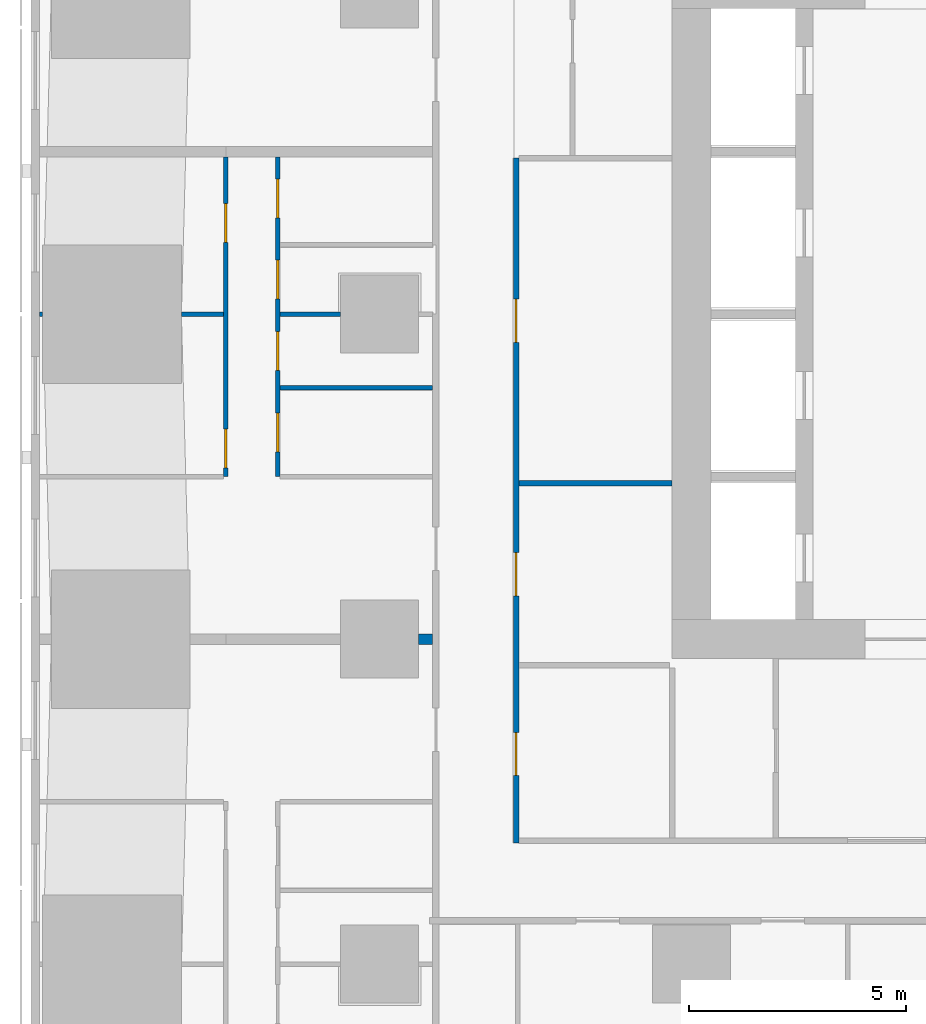
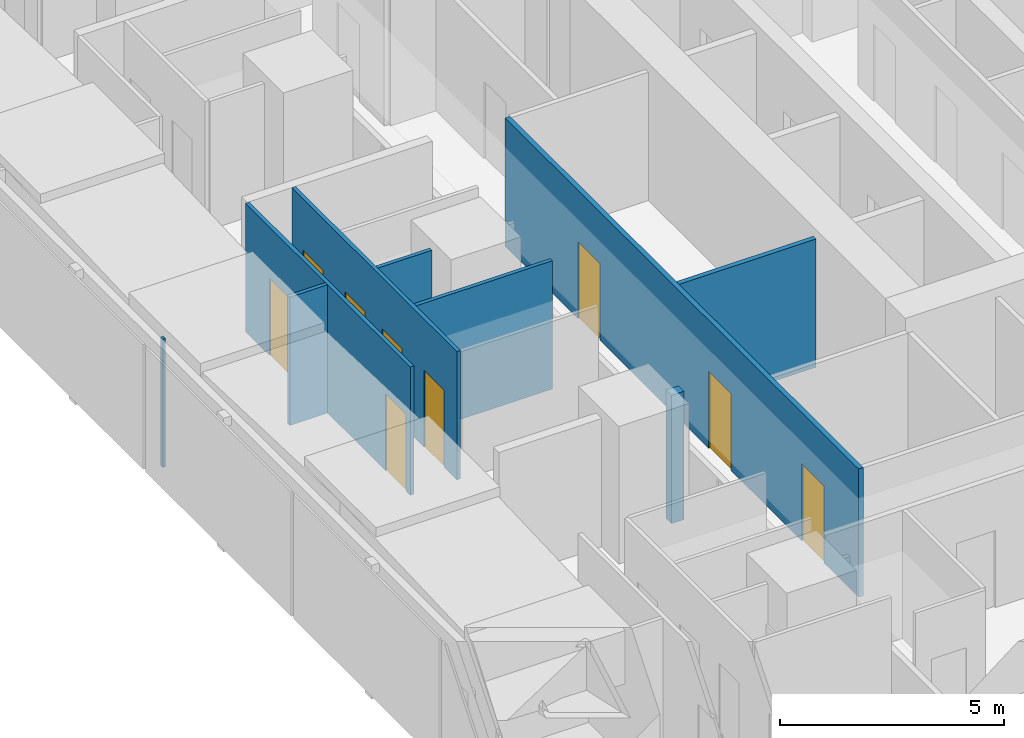
# One storey, part 5 of 17: 9 doors, 9 walls, 9 openings.
"""IFC4 building model written with IfcOpenShell, lengths in metres."""

from ifc_helpers import new_model, si_unit, direction, frame, frame_2d, origin, place, context, subcontext, project, spatial, rectangle, extrude, material, layer, layer_set, type_object, element, fill, save


model = new_model("IFC4")

# Units and contexts
model_context = context("Model", 3, precision=1e-05, world=origin(), true_north=direction((0.0, 1.0)))
body_context = subcontext(model_context, "Body", "Model", "MODEL_VIEW")
ifc_project = project(units=[si_unit("LENGTHUNIT", "METRE"), si_unit("AREAUNIT", "SQUARE_METRE"), si_unit("VOLUMEUNIT", "CUBIC_METRE"), si_unit("PLANEANGLEUNIT", "RADIAN"), si_unit("MASSUNIT", "GRAM", prefix="KILO")], contexts=[model_context])

# Site, building, storey
site_placement = place(None, origin())
site = spatial("IfcSite", under=ifc_project, at=site_placement, CompositionType="ELEMENT")
building_placement = place(site_placement, origin())
building = spatial("IfcBuilding", under=site, at=building_placement, Name="Sheger Commons Tower", CompositionType="ELEMENT")
storey_placement = place(building_placement, frame((0.0, 0.0, 27.5)))
storey = spatial("IfcBuildingStorey", under=building, at=storey_placement, Name="L06", CompositionType="ELEMENT", Elevation=27.5)

# Wall
ifc_material_1 = material(Name="Dense concrete block masonry, plastered both sides (separating wall between flats)", Category="masonry")
ifc_layer_1 = layer(ifc_material_1, 0.25)
ifc_layer_set_1 = layer_set([ifc_layer_1], Name="DEMISING WALL 250")
wall_type_1 = type_object("IfcWallType", Name="DEMISING WALL 250", PredefinedType="SOLIDWALL", material=ifc_layer_set_1)
wall_1_placement = place(storey_placement, frame((8.10107421875, 15.0, 0.0), z_axis=(0.0, 0.0, 1.0), x_axis=(1.0, 0.0, 0.0)))
element("IfcWall", 1, at=wall_1_placement, inside=storey, type_object=wall_type_1, Name="Demising wall L06", PredefinedType="SOLIDWALL", context=body_context, shape_type="SweptSolid", body=[
    extrude(rectangle(XDim=0.323974609375, YDim=0.25, at=frame_2d((0.162109375, 0.0))), origin(), (0.0, 0.0, 1.0), 3.5),
])

# Wall, openings, doors
ifc_material_2 = material(Name="Gypsum board on steel studs", Category="steel")
ifc_layer_2 = layer(ifc_material_2, 0.10009765625)
ifc_layer_set_2 = layer_set([ifc_layer_2], Name="PARTITION 100")
wall_type_2 = type_object("IfcWallType", Name="PARTITION 100", PredefinedType="PARTITIONING", material=ifc_layer_set_2)
wall_2_placement = place(storey_placement, frame((3.64990234375, 18.75, 0.0), z_axis=(0.0, 0.0, 1.0), x_axis=(0.0, 1.0, 0.0)))
wall_2 = element("IfcWall", 2, at=wall_2_placement, inside=storey, type_object=wall_type_2, Name="Partition L06", PredefinedType="PARTITIONING", context=body_context, shape_type="SweptSolid", body=[
    extrude(rectangle(XDim=7.375, YDim=0.10009765625, at=frame_2d((3.6875, 0.0))), origin(), (0.0, 0.0, 1.0), 3.5),
])
opening_1_placement = place(wall_2_placement, frame((0.199951171875, 0.0, 0.0)))
opening_1 = element("IfcOpeningElement", 3, at=opening_1_placement, cuts=wall_2, Name="Opening D2", PredefinedType="OPENING", context=body_context, shape_type="SweptSolid", body=[
    extrude(rectangle(XDim=0.89990234375, YDim=2.10009765625, at=frame_2d((0.449951171875, 1.050048828125))), frame((0.0, 0.06005859375, 0.0), z_axis=(0.0, -1.0, 0.0), x_axis=(1.0, 0.0, 0.0)), (0.0, 0.0, 1.0), 0.1201171875),
])
opening_2_placement = place(wall_2_placement, frame((5.39990234375, 0.0, 0.0)))
opening_2 = element("IfcOpeningElement", 4, at=opening_2_placement, cuts=wall_2, Name="Opening D2", PredefinedType="OPENING", context=body_context, shape_type="SweptSolid", body=[
    extrude(rectangle(XDim=0.89990234375, YDim=2.10009765625, at=frame_2d((0.449951171875, 1.050048828125))), frame((0.0, 0.06005859375, 0.0), z_axis=(0.0, -1.0, 0.0), x_axis=(1.0, 0.0, 0.0)), (0.0, 0.0, 1.0), 0.1201171875),
])
ifc_material_3 = material(Name="Timber door set", Category="wood")
door_type_1 = type_object("IfcDoorType", Name="INTERNAL DOOR 900x2100", OperationType="NOTDEFINED", PredefinedType="DOOR", material=ifc_material_3)
door_1_placement = place(opening_1_placement, origin())
door_1 = element("IfcDoor", 5, at=door_1_placement, inside=storey, type_object=door_type_1, Name="Main bedroom door", OperationType="SINGLE_SWING_LEFT", OverallHeight=2.10009765625, OverallWidth=0.89990234375, PredefinedType="DOOR", context=body_context, shape_type="SweptSolid", body=[
    extrude(rectangle(XDim=0.89990234375, YDim=2.10009765625, at=frame_2d((0.449951171875, 1.050048828125))), frame((0.0, 0.02490234375, 0.0), z_axis=(0.0, -1.0, 0.0), x_axis=(1.0, 0.0, 0.0)), (0.0, 0.0, 1.0), 0.050048828125),
])
fill(opening_1, door_1)
door_2_placement = place(opening_2_placement, origin())
door_2 = element("IfcDoor", 6, at=door_2_placement, inside=storey, type_object=door_type_1, Name="Bedroom 2 door", OperationType="SINGLE_SWING_RIGHT", OverallHeight=2.10009765625, OverallWidth=0.89990234375, PredefinedType="DOOR", context=body_context, shape_type="SweptSolid", body=[
    extrude(rectangle(XDim=0.89990234375, YDim=2.10009765625, at=frame_2d((0.449951171875, 1.050048828125))), frame((0.0, 0.02490234375, 0.0), z_axis=(0.0, -1.0, 0.0), x_axis=(1.0, 0.0, 0.0)), (0.0, 0.0, 1.0), 0.050048828125),
])
fill(opening_2, door_2)

wall_3_placement = place(storey_placement, frame((4.85009765625, 18.75, 0.0), z_axis=(0.0, 0.0, 1.0), x_axis=(0.0, 1.0, 0.0)))
wall_3 = element("IfcWall", 7, at=wall_3_placement, inside=storey, type_object=wall_type_2, Name="Partition L06", PredefinedType="PARTITIONING", context=body_context, shape_type="SweptSolid", body=[
    extrude(rectangle(XDim=7.375, YDim=0.10009765625, at=frame_2d((3.6875, 0.0))), origin(), (0.0, 0.0, 1.0), 3.5),
])
opening_3_placement = place(wall_3_placement, frame((0.574951171875, 0.0, 0.0)))
opening_3 = element("IfcOpeningElement", 8, at=opening_3_placement, cuts=wall_3, Name="Opening D2", PredefinedType="OPENING", context=body_context, shape_type="SweptSolid", body=[
    extrude(rectangle(XDim=0.89990234375, YDim=2.10009765625, at=frame_2d((0.449951171875, 1.050048828125))), frame((0.0, 0.06005859375, 0.0), z_axis=(0.0, -1.0, 0.0), x_axis=(1.0, 0.0, 0.0)), (0.0, 0.0, 1.0), 0.1201171875),
])
opening_4_placement = place(wall_3_placement, frame((4.10009765625, 0.0, 0.0)))
opening_4 = element("IfcOpeningElement", 9, at=opening_4_placement, cuts=wall_3, Name="Opening D2", PredefinedType="OPENING", context=body_context, shape_type="SweptSolid", body=[
    extrude(rectangle(XDim=0.89990234375, YDim=2.10009765625, at=frame_2d((0.449951171875, 1.050048828125))), frame((0.0, 0.06005859375, 0.0), z_axis=(0.0, -1.0, 0.0), x_axis=(1.0, 0.0, 0.0)), (0.0, 0.0, 1.0), 0.1201171875),
])
opening_5_placement = place(wall_3_placement, frame((2.449951171875, 0.0, 0.0)))
opening_5 = element("IfcOpeningElement", 10, at=opening_5_placement, cuts=wall_3, Name="Opening D2", PredefinedType="OPENING", context=body_context, shape_type="SweptSolid", body=[
    extrude(rectangle(XDim=0.89990234375, YDim=2.10009765625, at=frame_2d((0.449951171875, 1.050048828125))), frame((0.0, 0.06005859375, 0.0), z_axis=(0.0, -1.0, 0.0), x_axis=(1.0, 0.0, 0.0)), (0.0, 0.0, 1.0), 0.1201171875),
])
opening_6_placement = place(wall_3_placement, frame((5.97509765625, 0.0, 0.0)))
opening_6 = element("IfcOpeningElement", 11, at=opening_6_placement, cuts=wall_3, Name="Opening D2", PredefinedType="OPENING", context=body_context, shape_type="SweptSolid", body=[
    extrude(rectangle(XDim=0.89990234375, YDim=2.10009765625, at=frame_2d((0.449951171875, 1.050048828125))), frame((0.0, 0.06005859375, 0.0), z_axis=(0.0, -1.0, 0.0), x_axis=(1.0, 0.0, 0.0)), (0.0, 0.0, 1.0), 0.1201171875),
])
door_3_placement = place(opening_3_placement, origin())
door_3 = element("IfcDoor", 12, at=door_3_placement, inside=storey, type_object=door_type_1, Name="Bathroom door", OperationType="SINGLE_SWING_RIGHT", OverallHeight=2.10009765625, OverallWidth=0.89990234375, PredefinedType="DOOR", context=body_context, shape_type="SweptSolid", body=[
    extrude(rectangle(XDim=0.89990234375, YDim=2.10009765625, at=frame_2d((0.449951171875, 1.050048828125))), frame((0.0, 0.02490234375, 0.0), z_axis=(0.0, -1.0, 0.0), x_axis=(1.0, 0.0, 0.0)), (0.0, 0.0, 1.0), 0.050048828125),
])
fill(opening_3, door_3)
door_4_placement = place(opening_4_placement, origin())
door_4 = element("IfcDoor", 13, at=door_4_placement, inside=storey, type_object=door_type_1, Name="Shower room door", OperationType="SINGLE_SWING_LEFT", OverallHeight=2.10009765625, OverallWidth=0.89990234375, PredefinedType="DOOR", context=body_context, shape_type="SweptSolid", body=[
    extrude(rectangle(XDim=0.89990234375, YDim=2.10009765625, at=frame_2d((0.449951171875, 1.050048828125))), frame((0.0, 0.02490234375, 0.0), z_axis=(0.0, -1.0, 0.0), x_axis=(1.0, 0.0, 0.0)), (0.0, 0.0, 1.0), 0.050048828125),
])
fill(opening_4, door_4)
door_5_placement = place(opening_5_placement, origin())
door_5 = element("IfcDoor", 14, at=door_5_placement, inside=storey, type_object=door_type_1, Name="Store door", OperationType="SINGLE_SWING_LEFT", OverallHeight=2.10009765625, OverallWidth=0.89990234375, PredefinedType="DOOR", context=body_context, shape_type="SweptSolid", body=[
    extrude(rectangle(XDim=0.89990234375, YDim=2.10009765625, at=frame_2d((0.449951171875, 1.050048828125))), frame((0.0, 0.02490234375, 0.0), z_axis=(0.0, -1.0, 0.0), x_axis=(1.0, 0.0, 0.0)), (0.0, 0.0, 1.0), 0.050048828125),
])
fill(opening_5, door_5)
door_6_placement = place(opening_6_placement, origin())
door_6 = element("IfcDoor", 15, at=door_6_placement, inside=storey, type_object=door_type_1, Name="Store door", OperationType="SINGLE_SWING_LEFT", OverallHeight=2.10009765625, OverallWidth=0.89990234375, PredefinedType="DOOR", context=body_context, shape_type="SweptSolid", body=[
    extrude(rectangle(XDim=0.89990234375, YDim=2.10009765625, at=frame_2d((0.449951171875, 1.050048828125))), frame((0.0, 0.02490234375, 0.0), z_axis=(0.0, -1.0, 0.0), x_axis=(1.0, 0.0, 0.0)), (0.0, 0.0, 1.0), 0.050048828125),
])
fill(opening_6, door_6)

# Walls
wall_4_placement = place(storey_placement, frame((-0.64990234375, 22.5, 0.0), z_axis=(0.0, 0.0, 1.0), x_axis=(1.0, 0.0, 0.0)))
element("IfcWall", 16, at=wall_4_placement, inside=storey, type_object=wall_type_2, Name="Partition L06", PredefinedType="PARTITIONING", context=body_context, shape_type="SweptSolid", body=[
    extrude(rectangle(XDim=0.073974609375, YDim=0.10009765625, at=frame_2d((0.037109375, 0.0))), origin(), (0.0, 0.0, 1.0), 3.5),
])
wall_5_placement = place(storey_placement, frame((2.6259765625, 22.5, 0.0), z_axis=(0.0, 0.0, 1.0), x_axis=(1.0, 0.0, 0.0)))
element("IfcWall", 17, at=wall_5_placement, inside=storey, type_object=wall_type_2, Name="Partition L06", PredefinedType="PARTITIONING", context=body_context, shape_type="SweptSolid", body=[
    extrude(rectangle(XDim=0.97412109375, YDim=0.10009765625, at=frame_2d((0.487060546875, 0.0))), origin(), (0.0, 0.0, 1.0), 3.5),
])
wall_6_placement = place(storey_placement, frame((4.89990234375, 22.5, 0.0), z_axis=(0.0, 0.0, 1.0), x_axis=(1.0, 0.0, 0.0)))
element("IfcWall", 18, at=wall_6_placement, inside=storey, type_object=wall_type_2, Name="Partition L06", PredefinedType="PARTITIONING", context=body_context, shape_type="SweptSolid", body=[
    extrude(rectangle(XDim=1.399169921875, YDim=0.10009765625, at=frame_2d((0.69970703125, 0.0))), origin(), (0.0, 0.0, 1.0), 3.5),
])
wall_7_placement = place(storey_placement, frame((4.89990234375, 20.800048828125, 0.0), z_axis=(0.0, 0.0, 1.0), x_axis=(1.0, 0.0, 0.0)))
element("IfcWall", 19, at=wall_7_placement, inside=storey, type_object=wall_type_2, Name="Partition L06", PredefinedType="PARTITIONING", context=body_context, shape_type="SweptSolid", body=[
    extrude(rectangle(XDim=3.525146484375, YDim=0.10009765625, at=frame_2d((1.7626953125, 0.0))), origin(), (0.0, 0.0, 1.0), 3.5),
])

# Wall, openings, doors
ifc_material_4 = material(Name="Gypsum board on steel studs, two layers each side, fire rated", Category="steel")
ifc_layer_3 = layer(ifc_material_4, 0.125)
ifc_layer_set_3 = layer_set([ifc_layer_3], Name="SERVICE WALL 125")
wall_type_3 = type_object("IfcWallType", Name="SERVICE WALL 125", PredefinedType="PARTITIONING", material=ifc_layer_set_3)
wall_8_placement = place(storey_placement, frame((10.35009765625, 10.300048828125, 0.0), z_axis=(0.0, 0.0, 1.0), x_axis=(0.0, 1.0, 0.0)))
wall_8 = element("IfcWall", 20, at=wall_8_placement, inside=storey, type_object=wall_type_3, Name="Service room wall L06", PredefinedType="PARTITIONING", context=body_context, shape_type="SweptSolid", body=[
    extrude(rectangle(XDim=15.800048828125, YDim=0.125, at=frame_2d((7.89990234375, 0.0))), origin(), (0.0, 0.0, 1.0), 3.5),
])
opening_7_placement = place(wall_8_placement, frame((1.550048828125, 0.0, 0.0)))
opening_7 = element("IfcOpeningElement", 21, at=opening_7_placement, cuts=wall_8, Name="Opening D4", PredefinedType="OPENING", context=body_context, shape_type="SweptSolid", body=[
    extrude(rectangle(XDim=1.0, YDim=2.10009765625, at=frame_2d((0.5, 1.050048828125))), frame((0.0, 0.072509765625, 0.0), z_axis=(0.0, -1.0, 0.0), x_axis=(1.0, 0.0, 0.0)), (0.0, 0.0, 1.0), 0.14501953125),
])
opening_8_placement = place(wall_8_placement, frame((5.699951171875, 0.0, 0.0)))
opening_8 = element("IfcOpeningElement", 22, at=opening_8_placement, cuts=wall_8, Name="Opening D4", PredefinedType="OPENING", context=body_context, shape_type="SweptSolid", body=[
    extrude(rectangle(XDim=1.0, YDim=2.10009765625, at=frame_2d((0.5, 1.050048828125))), frame((0.0, 0.072509765625, 0.0), z_axis=(0.0, -1.0, 0.0), x_axis=(1.0, 0.0, 0.0)), (0.0, 0.0, 1.0), 0.14501953125),
])
opening_9_placement = place(wall_8_placement, frame((11.550048828125, 0.0, 0.0)))
opening_9 = element("IfcOpeningElement", 23, at=opening_9_placement, cuts=wall_8, Name="Opening D4", PredefinedType="OPENING", context=body_context, shape_type="SweptSolid", body=[
    extrude(rectangle(XDim=1.0, YDim=2.10009765625, at=frame_2d((0.5, 1.050048828125))), frame((0.0, 0.072509765625, 0.0), z_axis=(0.0, -1.0, 0.0), x_axis=(1.0, 0.0, 0.0)), (0.0, 0.0, 1.0), 0.14501953125),
])
ifc_material_5 = material(Name="Steel door set, fire rated", Category="steel")
door_type_2 = type_object("IfcDoorType", Name="SERVICE DOOR 1000x2100", OperationType="NOTDEFINED", PredefinedType="DOOR", material=ifc_material_5)
door_7_placement = place(opening_7_placement, origin())
door_7 = element("IfcDoor", 24, at=door_7_placement, inside=storey, type_object=door_type_2, Name="Refuse chute room door", OperationType="SINGLE_SWING_RIGHT", OverallHeight=2.10009765625, OverallWidth=1.0, PredefinedType="DOOR", context=body_context, shape_type="SweptSolid", body=[
    extrude(rectangle(XDim=1.0, YDim=2.10009765625, at=frame_2d((0.5, 1.050048828125))), frame((0.0, 0.02490234375, 0.0), z_axis=(0.0, -1.0, 0.0), x_axis=(1.0, 0.0, 0.0)), (0.0, 0.0, 1.0), 0.050048828125),
])
fill(opening_7, door_7)
door_8_placement = place(opening_8_placement, origin())
door_8 = element("IfcDoor", 25, at=door_8_placement, inside=storey, type_object=door_type_2, Name="Recycling room door", OperationType="SINGLE_SWING_RIGHT", OverallHeight=2.10009765625, OverallWidth=1.0, PredefinedType="DOOR", context=body_context, shape_type="SweptSolid", body=[
    extrude(rectangle(XDim=1.0, YDim=2.10009765625, at=frame_2d((0.5, 1.050048828125))), frame((0.0, 0.02490234375, 0.0), z_axis=(0.0, -1.0, 0.0), x_axis=(1.0, 0.0, 0.0)), (0.0, 0.0, 1.0), 0.050048828125),
])
fill(opening_8, door_8)
door_9_placement = place(opening_9_placement, origin())
door_9 = element("IfcDoor", 26, at=door_9_placement, inside=storey, type_object=door_type_2, Name="Bicycle and pram store door", OperationType="SINGLE_SWING_LEFT", OverallHeight=2.10009765625, OverallWidth=1.0, PredefinedType="DOOR", context=body_context, shape_type="SweptSolid", body=[
    extrude(rectangle(XDim=1.0, YDim=2.10009765625, at=frame_2d((0.5, 1.050048828125))), frame((0.0, 0.02490234375, 0.0), z_axis=(0.0, -1.0, 0.0), x_axis=(1.0, 0.0, 0.0)), (0.0, 0.0, 1.0), 0.050048828125),
])
fill(opening_9, door_9)

# Wall
wall_9_placement = place(storey_placement, frame((10.4130859375, 18.60009765625, 0.0), z_axis=(0.0, 0.0, 1.0), x_axis=(1.0, 0.0, 0.0)))
element("IfcWall", 27, at=wall_9_placement, inside=storey, type_object=wall_type_3, Name="Service room wall L06", PredefinedType="PARTITIONING", context=body_context, shape_type="SweptSolid", body=[
    extrude(rectangle(XDim=3.536865234375, YDim=0.125, at=frame_2d((1.7685546875, 0.0))), origin(), (0.0, 0.0, 1.0), 3.5),
])

save(model, "model.ifc")
